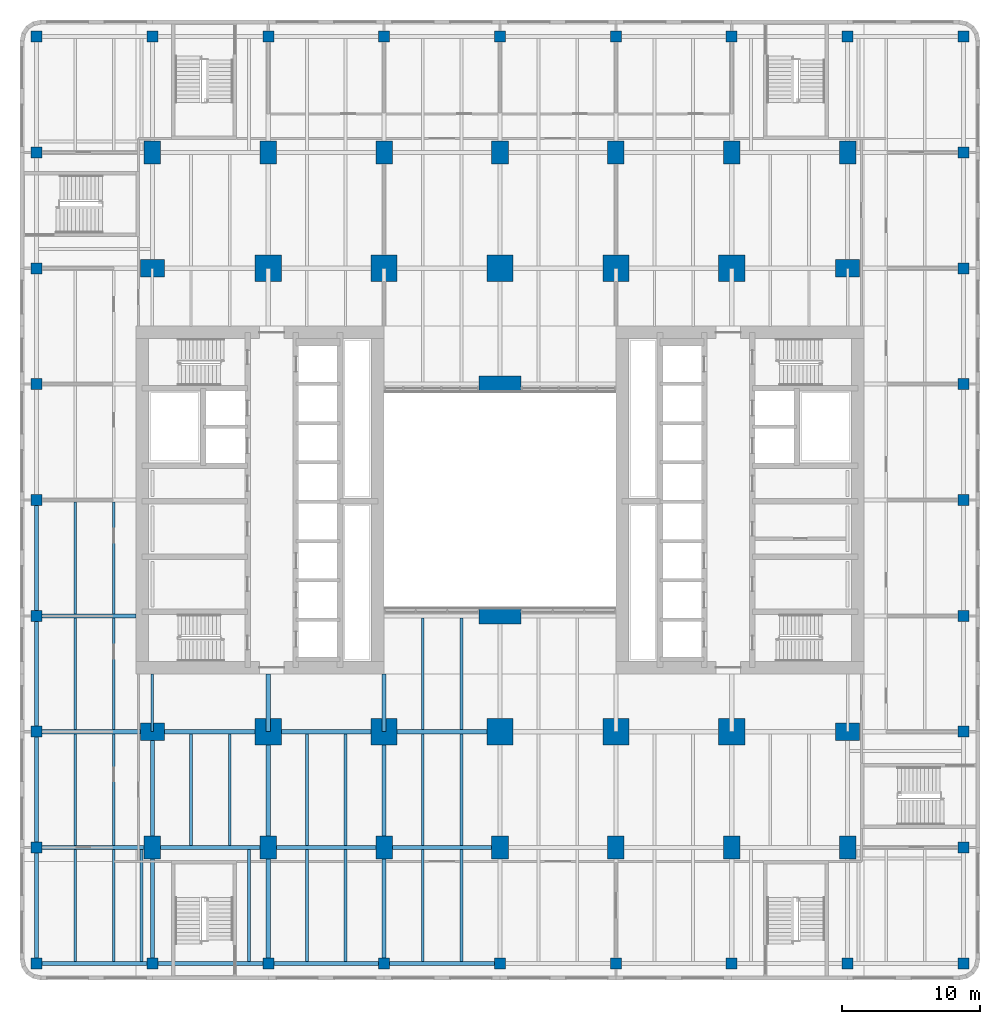
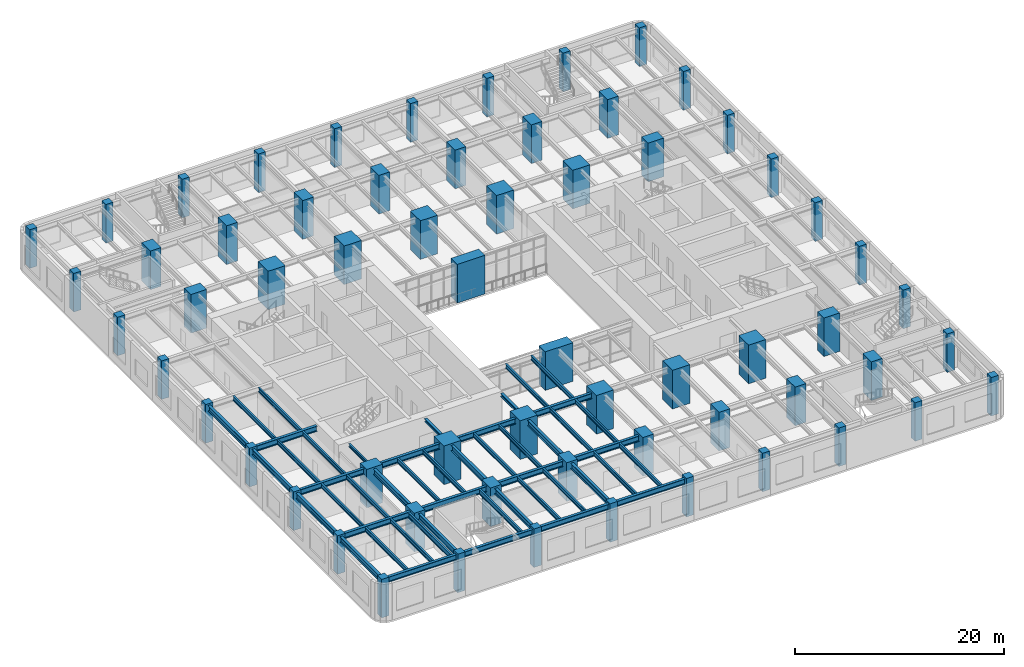
# One storey, part 1 of 26: 62 columns, 48 beams.
"""IFC4 building model written with IfcOpenShell, lengths in metres."""

from ifc_helpers import new_model, si_unit, direction, frame, origin, origin_2d, place, context, subcontext, project, spatial, rectangle, i_section, extrude, material, material_profile, profile_set, type_object, element, save


model = new_model("IFC4")

# Units and contexts
model_context = context("Model", 3, precision=1e-05, world=origin(), true_north=direction((0.0, 1.0)))
body_context = subcontext(model_context, "Body", "Model", "MODEL_VIEW")
ifc_project = project(units=[si_unit("LENGTHUNIT", "METRE"), si_unit("AREAUNIT", "SQUARE_METRE"), si_unit("VOLUMEUNIT", "CUBIC_METRE"), si_unit("PLANEANGLEUNIT", "RADIAN"), si_unit("MASSUNIT", "GRAM", prefix="KILO")], contexts=[model_context])

# Site, building, storey
site_placement = place(None, origin())
site = spatial("IfcSite", under=ifc_project, at=site_placement, CompositionType="ELEMENT")
building_placement = place(site_placement, origin())
building = spatial("IfcBuilding", under=site, at=building_placement, Name="Claustro Exchange Tower", CompositionType="ELEMENT")
storey_placement = place(building_placement, frame((0.0, 0.0, 9.89990234375)))
storey = spatial("IfcBuildingStorey", under=building, at=storey_placement, Name="L02", CompositionType="ELEMENT", Elevation=9.89990234375)

# Columns
ifc_material_1 = material(Name="Concrete HA-70 (C70/85)", Category="concrete")
ifc_material_profile_1 = material_profile(ifc_material_1, rectangle(XDim=1.89990234375, YDim=1.89990234375, at=origin_2d()), Name="RC 1900x1900")
ifc_profile_set_1 = profile_set([ifc_material_profile_1], Name="Concrete HA-70 (C70/85)")
column_type_1 = type_object("IfcColumnType", Name="C13 RC 1900x1900 HA-70 column", PredefinedType="COLUMN", material=ifc_profile_set_1)
for number, where, z_axis, x_axis, name in (
    (1, (8.39990234375, 8.39990234375, 0.0), (0.0, 0.0, 1.0), (1.0, 0.0, 0.0), "Column C13 2/B L02"),
    (2, (8.39990234375, 42.0, 0.0), (0.0, 0.0, 1.0), (1.0, 0.0, 0.0), "Column C13 2/F L02"),
    (3, (16.800048828125, 8.39990234375, 0.0), (0.0, 0.0, 1.0), (1.0, 0.0, 0.0), "Column C13 3/B L02"),
    (4, (16.800048828125, 42.0, 0.0), (0.0, 0.0, 1.0), (1.0, 0.0, 0.0), "Column C13 3/F L02"),
    (5, (25.199951171875, 8.39990234375, 0.0), (0.0, 0.0, 1.0), (1.0, 0.0, 0.0), "Column C13 4/B L02"),
    (6, (25.199951171875, 42.0, 0.0), (0.0, 0.0, 1.0), (1.0, 0.0, 0.0), "Column C13 4/F L02"),
    (7, (33.60009765625, 8.39990234375, 0.0), (0.0, 0.0, 1.0), (1.0, 0.0, 0.0), "Column C13 5/B L02"),
    (8, (33.60009765625, 42.0, 0.0), (0.0, 0.0, 1.0), (1.0, 0.0, 0.0), "Column C13 5/F L02"),
    (9, (42.0, 8.39990234375, 0.0), (0.0, 0.0, 1.0), (1.0, 0.0, 0.0), "Column C13 6/B L02"),
    (10, (42.0, 42.0, 0.0), (0.0, 0.0, 1.0), (1.0, 0.0, 0.0), "Column C13 6/F L02"),
):
    element("IfcColumn", number, at=place(storey_placement, frame(where, z_axis=z_axis, x_axis=x_axis)), inside=storey, type_object=column_type_1, Name=name, PredefinedType="COLUMN", context=body_context, shape_type="SweptSolid", body=[
        extrude(rectangle(XDim=1.89990234375, YDim=1.89990234375, at=origin_2d()), origin(), (0.0, 0.0, 1.0), 4.5),
    ])
ifc_material_2 = material(Name="Concrete HA-70 (C70/85)", Category="concrete")
ifc_material_profile_2 = material_profile(ifc_material_2, rectangle(XDim=1.199951171875, YDim=1.64990234375, at=origin_2d()), Name="RC 1200x1650")
ifc_profile_set_2 = profile_set([ifc_material_profile_2], Name="Concrete HA-70 (C70/85)")
column_type_2 = type_object("IfcColumnType", Name="C19 RC 1200x1650 HA-70 perimeter column", PredefinedType="COLUMN", material=ifc_profile_set_2)
for number, where, z_axis, x_axis, name in (
    (11, (0.0, 0.0, 0.0), (0.0, 0.0, 1.0), (1.0, 0.0, 0.0), "Column C19 1/A L02"),
    (12, (0.0, 50.39990234375, 0.0), (0.0, 0.0, 1.0), (1.0, 0.0, 0.0), "Column C19 1/G L02"),
    (13, (8.39990234375, 0.0, 0.0), (0.0, 0.0, 1.0), (1.0, 0.0, 0.0), "Column C19 2/A L02"),
    (14, (8.39990234375, 50.39990234375, 0.0), (0.0, 0.0, 1.0), (1.0, 0.0, 0.0), "Column C19 2/G L02"),
    (15, (16.800048828125, 0.0, 0.0), (0.0, 0.0, 1.0), (1.0, 0.0, 0.0), "Column C19 3/A L02"),
    (16, (16.800048828125, 50.39990234375, 0.0), (0.0, 0.0, 1.0), (1.0, 0.0, 0.0), "Column C19 3/G L02"),
    (17, (25.199951171875, 0.0, 0.0), (0.0, 0.0, 1.0), (1.0, 0.0, 0.0), "Column C19 4/A L02"),
    (18, (25.199951171875, 50.39990234375, 0.0), (0.0, 0.0, 1.0), (1.0, 0.0, 0.0), "Column C19 4/G L02"),
    (19, (33.60009765625, 0.0, 0.0), (0.0, 0.0, 1.0), (1.0, 0.0, 0.0), "Column C19 5/A L02"),
    (20, (33.60009765625, 50.39990234375, 0.0), (0.0, 0.0, 1.0), (1.0, 0.0, 0.0), "Column C19 5/G L02"),
    (21, (42.0, 0.0, 0.0), (0.0, 0.0, 1.0), (1.0, 0.0, 0.0), "Column C19 6/A L02"),
    (22, (42.0, 50.39990234375, 0.0), (0.0, 0.0, 1.0), (1.0, 0.0, 0.0), "Column C19 6/G L02"),
    (23, (50.39990234375, 0.0, 0.0), (0.0, 0.0, 1.0), (1.0, 0.0, 0.0), "Column C19 7/A L02"),
    (24, (50.39990234375, 50.39990234375, 0.0), (0.0, 0.0, 1.0), (1.0, 0.0, 0.0), "Column C19 7/G L02"),
):
    element("IfcColumn", number, at=place(storey_placement, frame(where, z_axis=z_axis, x_axis=x_axis)), inside=storey, type_object=column_type_2, Name=name, PredefinedType="COLUMN", context=body_context, shape_type="SweptSolid", body=[
        extrude(rectangle(XDim=1.199951171875, YDim=1.64990234375, at=origin_2d()), origin(), (0.0, 0.0, 1.0), 4.5),
    ])
ifc_material_3 = material(Name="Concrete HA-70 (C70/85)", Category="concrete")
ifc_material_profile_3 = material_profile(ifc_material_3, rectangle(XDim=3.050048828125, YDim=1.199951171875, at=origin_2d()), Name="RC 3050x1200")
ifc_profile_set_3 = profile_set([ifc_material_profile_3], Name="Concrete HA-70 (C70/85)")
column_type_3 = type_object("IfcColumnType", Name="C29 RC 3050x1200 HA-70 light well column", PredefinedType="COLUMN", material=ifc_profile_set_3)
for number, where, z_axis, x_axis, name in (
    (25, (25.199951171875, 16.800048828125, 0.0), (0.0, 0.0, 1.0), (1.0, 0.0, 0.0), "Column C29 4/C L02"),
    (26, (25.199951171875, 33.60009765625, 0.0), (0.0, 0.0, 1.0), (1.0, 0.0, 0.0), "Column C29 4/E L02"),
):
    element("IfcColumn", number, at=place(storey_placement, frame(where, z_axis=z_axis, x_axis=x_axis)), inside=storey, type_object=column_type_3, Name=name, PredefinedType="COLUMN", context=body_context, shape_type="SweptSolid", body=[
        extrude(rectangle(XDim=3.050048828125, YDim=1.199951171875, at=origin_2d()), origin(), (0.0, 0.0, 1.0), 4.5),
    ])
ifc_material_4 = material(Name="Concrete HA-50 (C50/60)", Category="concrete")
ifc_material_profile_4 = material_profile(ifc_material_4, rectangle(XDim=0.800048828125, YDim=0.800048828125, at=origin_2d()), Name="RC 800x800")
ifc_profile_set_4 = profile_set([ifc_material_profile_4], Name="Concrete HA-50 (C50/60)")
column_type_4 = type_object("IfcColumnType", Name="C4 RC 800x800 HA-50 column", PredefinedType="COLUMN", material=ifc_profile_set_4)
for number, where, z_axis, x_axis, name in (
    (27, (-8.39990234375, -8.39990234375, 0.0), (0.0, 0.0, 1.0), (1.0, 0.0, 0.0), "Column C4 1+-8400/A+-8400 L02"),
    (28, (-8.39990234375, 0.0, 0.0), (0.0, 0.0, 1.0), (1.0, 0.0, 0.0), "Column C4 1+-8400/A L02"),
    (29, (-8.39990234375, 8.39990234375, 0.0), (0.0, 0.0, 1.0), (1.0, 0.0, 0.0), "Column C4 1+-8400/B L02"),
    (30, (-8.39990234375, 16.800048828125, 0.0), (0.0, 0.0, 1.0), (1.0, 0.0, 0.0), "Column C4 1+-8400/C L02"),
    (31, (-8.39990234375, 25.199951171875, 0.0), (0.0, 0.0, 1.0), (1.0, 0.0, 0.0), "Column C4 1+-8400/D L02"),
    (32, (-8.39990234375, 33.60009765625, 0.0), (0.0, 0.0, 1.0), (1.0, 0.0, 0.0), "Column C4 1+-8400/E L02"),
    (33, (-8.39990234375, 42.0, 0.0), (0.0, 0.0, 1.0), (1.0, 0.0, 0.0), "Column C4 1+-8400/F L02"),
    (34, (-8.39990234375, 50.39990234375, 0.0), (0.0, 0.0, 1.0), (1.0, 0.0, 0.0), "Column C4 1+-8400/G L02"),
    (35, (-8.39990234375, 58.800048828125, 0.0), (0.0, 0.0, 1.0), (1.0, 0.0, 0.0), "Column C4 1+-8400/G+8400 L02"),
    (36, (0.0, -8.39990234375, 0.0), (0.0, 0.0, 1.0), (1.0, 0.0, 0.0), "Column C4 1/A+-8400 L02"),
    (37, (0.0, 58.800048828125, 0.0), (0.0, 0.0, 1.0), (1.0, 0.0, 0.0), "Column C4 1/G+8400 L02"),
    (38, (8.39990234375, -8.39990234375, 0.0), (0.0, 0.0, 1.0), (1.0, 0.0, 0.0), "Column C4 2/A+-8400 L02"),
    (39, (8.39990234375, 58.800048828125, 0.0), (0.0, 0.0, 1.0), (1.0, 0.0, 0.0), "Column C4 2/G+8400 L02"),
    (40, (16.800048828125, -8.39990234375, 0.0), (0.0, 0.0, 1.0), (1.0, 0.0, 0.0), "Column C4 3/A+-8400 L02"),
    (41, (16.800048828125, 58.800048828125, 0.0), (0.0, 0.0, 1.0), (1.0, 0.0, 0.0), "Column C4 3/G+8400 L02"),
    (42, (25.199951171875, -8.39990234375, 0.0), (0.0, 0.0, 1.0), (1.0, 0.0, 0.0), "Column C4 4/A+-8400 L02"),
    (43, (25.199951171875, 58.800048828125, 0.0), (0.0, 0.0, 1.0), (1.0, 0.0, 0.0), "Column C4 4/G+8400 L02"),
    (44, (33.60009765625, -8.39990234375, 0.0), (0.0, 0.0, 1.0), (1.0, 0.0, 0.0), "Column C4 5/A+-8400 L02"),
    (45, (33.60009765625, 58.800048828125, 0.0), (0.0, 0.0, 1.0), (1.0, 0.0, 0.0), "Column C4 5/G+8400 L02"),
    (46, (42.0, -8.39990234375, 0.0), (0.0, 0.0, 1.0), (1.0, 0.0, 0.0), "Column C4 6/A+-8400 L02"),
    (47, (42.0, 58.800048828125, 0.0), (0.0, 0.0, 1.0), (1.0, 0.0, 0.0), "Column C4 6/G+8400 L02"),
    (48, (50.39990234375, -8.39990234375, 0.0), (0.0, 0.0, 1.0), (1.0, 0.0, 0.0), "Column C4 7/A+-8400 L02"),
    (49, (50.39990234375, 58.800048828125, 0.0), (0.0, 0.0, 1.0), (1.0, 0.0, 0.0), "Column C4 7/G+8400 L02"),
    (50, (58.800048828125, -8.39990234375, 0.0), (0.0, 0.0, 1.0), (1.0, 0.0, 0.0), "Column C4 7+8400/A+-8400 L02"),
    (51, (58.800048828125, 0.0, 0.0), (0.0, 0.0, 1.0), (1.0, 0.0, 0.0), "Column C4 7+8400/A L02"),
    (52, (58.800048828125, 8.39990234375, 0.0), (0.0, 0.0, 1.0), (1.0, 0.0, 0.0), "Column C4 7+8400/B L02"),
    (53, (58.800048828125, 16.800048828125, 0.0), (0.0, 0.0, 1.0), (1.0, 0.0, 0.0), "Column C4 7+8400/C L02"),
    (54, (58.800048828125, 25.199951171875, 0.0), (0.0, 0.0, 1.0), (1.0, 0.0, 0.0), "Column C4 7+8400/D L02"),
    (55, (58.800048828125, 33.60009765625, 0.0), (0.0, 0.0, 1.0), (1.0, 0.0, 0.0), "Column C4 7+8400/E L02"),
    (56, (58.800048828125, 42.0, 0.0), (0.0, 0.0, 1.0), (1.0, 0.0, 0.0), "Column C4 7+8400/F L02"),
    (57, (58.800048828125, 50.39990234375, 0.0), (0.0, 0.0, 1.0), (1.0, 0.0, 0.0), "Column C4 7+8400/G L02"),
    (58, (58.800048828125, 58.800048828125, 0.0), (0.0, 0.0, 1.0), (1.0, 0.0, 0.0), "Column C4 7+8400/G+8400 L02"),
):
    element("IfcColumn", number, at=place(storey_placement, frame(where, z_axis=z_axis, x_axis=x_axis)), inside=storey, type_object=column_type_4, Name=name, PredefinedType="COLUMN", context=body_context, shape_type="SweptSolid", body=[
        extrude(rectangle(XDim=0.800048828125, YDim=0.800048828125, at=origin_2d()), origin(), (0.0, 0.0, 1.0), 4.5),
    ])
ifc_material_5 = material(Name="Concrete HA-70 (C70/85)", Category="concrete")
ifc_material_profile_5 = material_profile(ifc_material_5, rectangle(XDim=1.25, YDim=1.75, at=origin_2d()), Name="RC 1250x1750")
ifc_profile_set_5 = profile_set([ifc_material_profile_5], Name="Concrete HA-70 (C70/85)")
column_type_5 = type_object("IfcColumnType", Name="C41 RC 1250x1750 HA-70 perimeter column", PredefinedType="COLUMN", material=ifc_profile_set_5)
for number, where, z_axis, x_axis, name in (
    (59, (0.0, 8.39990234375, 0.0), (0.0, 0.0, 1.0), (0.0, 1.0, 0.0), "Column C41 1/B L02"),
    (60, (0.0, 42.0, 0.0), (0.0, 0.0, 1.0), (0.0, 1.0, 0.0), "Column C41 1/F L02"),
    (61, (50.39990234375, 8.39990234375, 0.0), (0.0, 0.0, 1.0), (0.0, 1.0, 0.0), "Column C41 7/B L02"),
    (62, (50.39990234375, 42.0, 0.0), (0.0, 0.0, 1.0), (0.0, 1.0, 0.0), "Column C41 7/F L02"),
):
    element("IfcColumn", number, at=place(storey_placement, frame(where, z_axis=z_axis, x_axis=x_axis)), inside=storey, type_object=column_type_5, Name=name, PredefinedType="COLUMN", context=body_context, shape_type="SweptSolid", body=[
        extrude(rectangle(XDim=1.25, YDim=1.75, at=origin_2d()), origin(), (0.0, 0.0, 1.0), 4.5),
    ])

# Beams
ifc_material_6 = material(Name="Steel S355", Category="steel")
ifc_material_profile_6 = material_profile(ifc_material_6, i_section(OverallWidth=0.169921875, OverallDepth=0.360107421875, WebThickness=0.008056640625, FlangeThickness=0.0126953125, FilletRadius=0.01806640625, at=origin_2d()), Name="IPE 360")
ifc_profile_set_6 = profile_set([ifc_material_profile_6], Name="Steel S355")
beam_type_1 = type_object("IfcBeamType", Name="B16 IPE 360 short-span beam", PredefinedType="BEAM", material=ifc_profile_set_6)
beam_1_placement = place(storey_placement, frame((0.0, 8.39990234375, 4.1201171875), z_axis=(0.0, 1.0, 0.0), x_axis=(-1.0, 0.0, 0.0)))
element("IfcBeam", 63, at=beam_1_placement, inside=storey, type_object=beam_type_1, Name="Beam B16 L03", PredefinedType="BEAM", context=body_context, shape_type="SweptSolid", body=[
    extrude(i_section(OverallWidth=0.169921875, OverallDepth=0.360107421875, WebThickness=0.008056640625, FlangeThickness=0.0126953125, FilletRadius=0.01806640625, at=origin_2d()), origin(), (0.0, 0.0, 1.0), 4.2001953125),
])
ifc_material_7 = material(Name="Steel S355", Category="steel")
ifc_material_profile_7 = material_profile(ifc_material_7, i_section(OverallWidth=0.300048828125, OverallDepth=0.64990234375, WebThickness=0.01611328125, FlangeThickness=0.031005859375, FilletRadius=0.027099609375, at=origin_2d()), Name="HE 650 B")
ifc_profile_set_7 = profile_set([ifc_material_profile_7], Name="Steel S355")
beam_type_2 = type_object("IfcBeamType", Name="B1A HE 650 B floor girder", PredefinedType="BEAM", material=ifc_profile_set_7)
for number, where, z_axis, x_axis, name in (
    (64, (-8.39990234375, -8.39990234375, 3.97509765625), (0.0, 1.0, 0.0), (-1.0, 0.0, 0.0), "Beam B1A L03"),
    (65, (-8.39990234375, 0.0, 3.97509765625), (0.0, 1.0, 0.0), (-1.0, 0.0, 0.0), "Beam B1A L03"),
):
    element("IfcBeam", number, at=place(storey_placement, frame(where, z_axis=z_axis, x_axis=x_axis)), inside=storey, type_object=beam_type_2, Name=name, PredefinedType="BEAM", context=body_context, shape_type="SweptSolid", body=[
        extrude(i_section(OverallWidth=0.300048828125, OverallDepth=0.64990234375, WebThickness=0.01611328125, FlangeThickness=0.031005859375, FilletRadius=0.027099609375, at=origin_2d()), origin(), (0.0, 0.0, 1.0), 8.39990234375),
    ])
beam_2_placement = place(storey_placement, frame((-8.39990234375, 8.39990234375, 3.97509765625), z_axis=(0.0, 1.0, 0.0), x_axis=(-1.0, 0.0, 0.0)))
element("IfcBeam", 66, at=beam_2_placement, inside=storey, type_object=beam_type_2, Name="Beam B1A L03", PredefinedType="BEAM", context=body_context, shape_type="SweptSolid", body=[
    extrude(i_section(OverallWidth=0.300048828125, OverallDepth=0.64990234375, WebThickness=0.01611328125, FlangeThickness=0.031005859375, FilletRadius=0.027099609375, at=origin_2d()), origin(), (0.0, 0.0, 1.0), 8.400146484375),
])
for number, where, z_axis, x_axis, name in (
    (67, (-8.39990234375, 16.800048828125, 3.97509765625), (0.0, 1.0, 0.0), (-1.0, 0.0, 0.0), "Beam B1A L03"),
    (68, (0.0, -8.39990234375, 3.97509765625), (0.0, 1.0, 0.0), (-1.0, 0.0, 0.0), "Beam B1A L03"),
    (69, (0.0, 0.0, 3.97509765625), (0.0, 1.0, 0.0), (-1.0, 0.0, 0.0), "Beam B1A L03"),
    (70, (8.39990234375, -8.39990234375, 3.97509765625), (0.0, 1.0, 0.0), (-1.0, 0.0, 0.0), "Beam B1A L03"),
    (71, (8.39990234375, 0.0, 3.97509765625), (0.0, 1.0, 0.0), (-1.0, 0.0, 0.0), "Beam B1A L03"),
    (72, (16.800048828125, -8.39990234375, 3.97509765625), (0.0, 1.0, 0.0), (-1.0, 0.0, 0.0), "Beam B1A L03"),
    (73, (16.800048828125, 0.0, 3.97509765625), (0.0, 1.0, 0.0), (-1.0, 0.0, 0.0), "Beam B1A L03"),
    (74, (-8.39990234375, -8.39990234375, 3.97509765625), (1.0, 0.0, 0.0), (0.0, 1.0, 0.0), "Beam B1A L03"),
    (75, (0.0, -8.39990234375, 3.97509765625), (1.0, 0.0, 0.0), (0.0, 1.0, 0.0), "Beam B1A L03"),
):
    element("IfcBeam", number, at=place(storey_placement, frame(where, z_axis=z_axis, x_axis=x_axis)), inside=storey, type_object=beam_type_2, Name=name, PredefinedType="BEAM", context=body_context, shape_type="SweptSolid", body=[
        extrude(i_section(OverallWidth=0.300048828125, OverallDepth=0.64990234375, WebThickness=0.01611328125, FlangeThickness=0.031005859375, FilletRadius=0.027099609375, at=origin_2d()), origin(), (0.0, 0.0, 1.0), 8.39990234375),
    ])
beam_3_placement = place(storey_placement, frame((8.39990234375, -8.39990234375, 3.97509765625), z_axis=(1.0, 0.0, 0.0), x_axis=(0.0, 1.0, 0.0)))
element("IfcBeam", 76, at=beam_3_placement, inside=storey, type_object=beam_type_2, Name="Beam B1A L03", PredefinedType="BEAM", context=body_context, shape_type="SweptSolid", body=[
    extrude(i_section(OverallWidth=0.300048828125, OverallDepth=0.64990234375, WebThickness=0.01611328125, FlangeThickness=0.031005859375, FilletRadius=0.027099609375, at=origin_2d()), origin(), (0.0, 0.0, 1.0), 8.400146484375),
])
for number, where, z_axis, x_axis, name in (
    (77, (16.800048828125, -8.39990234375, 3.97509765625), (1.0, 0.0, 0.0), (0.0, 1.0, 0.0), "Beam B1A L03"),
    (78, (-8.39990234375, 0.0, 3.97509765625), (1.0, 0.0, 0.0), (0.0, 1.0, 0.0), "Beam B1A L03"),
    (79, (0.0, 0.0, 3.97509765625), (1.0, 0.0, 0.0), (0.0, 1.0, 0.0), "Beam B1A L03"),
):
    element("IfcBeam", number, at=place(storey_placement, frame(where, z_axis=z_axis, x_axis=x_axis)), inside=storey, type_object=beam_type_2, Name=name, PredefinedType="BEAM", context=body_context, shape_type="SweptSolid", body=[
        extrude(i_section(OverallWidth=0.300048828125, OverallDepth=0.64990234375, WebThickness=0.01611328125, FlangeThickness=0.031005859375, FilletRadius=0.027099609375, at=origin_2d()), origin(), (0.0, 0.0, 1.0), 8.39990234375),
    ])
beam_4_placement = place(storey_placement, frame((8.39990234375, 0.0, 3.97509765625), z_axis=(1.0, 0.0, 0.0), x_axis=(0.0, 1.0, 0.0)))
element("IfcBeam", 80, at=beam_4_placement, inside=storey, type_object=beam_type_2, Name="Beam B1A L03", PredefinedType="BEAM", context=body_context, shape_type="SweptSolid", body=[
    extrude(i_section(OverallWidth=0.300048828125, OverallDepth=0.64990234375, WebThickness=0.01611328125, FlangeThickness=0.031005859375, FilletRadius=0.027099609375, at=origin_2d()), origin(), (0.0, 0.0, 1.0), 8.400146484375),
])
for number, where, z_axis, x_axis, name in (
    (81, (16.800048828125, 0.0, 3.97509765625), (1.0, 0.0, 0.0), (0.0, 1.0, 0.0), "Beam B1A L03"),
    (82, (-8.39990234375, 8.39990234375, 3.97509765625), (1.0, 0.0, 0.0), (0.0, 1.0, 0.0), "Beam B1A L03"),
    (83, (0.0, 8.39990234375, 3.97509765625), (1.0, 0.0, 0.0), (0.0, 1.0, 0.0), "Beam B1A L03"),
):
    element("IfcBeam", number, at=place(storey_placement, frame(where, z_axis=z_axis, x_axis=x_axis)), inside=storey, type_object=beam_type_2, Name=name, PredefinedType="BEAM", context=body_context, shape_type="SweptSolid", body=[
        extrude(i_section(OverallWidth=0.300048828125, OverallDepth=0.64990234375, WebThickness=0.01611328125, FlangeThickness=0.031005859375, FilletRadius=0.027099609375, at=origin_2d()), origin(), (0.0, 0.0, 1.0), 8.39990234375),
    ])
beam_5_placement = place(storey_placement, frame((8.39990234375, 8.39990234375, 3.97509765625), z_axis=(1.0, 0.0, 0.0), x_axis=(0.0, 1.0, 0.0)))
element("IfcBeam", 84, at=beam_5_placement, inside=storey, type_object=beam_type_2, Name="Beam B1A L03", PredefinedType="BEAM", context=body_context, shape_type="SweptSolid", body=[
    extrude(i_section(OverallWidth=0.300048828125, OverallDepth=0.64990234375, WebThickness=0.01611328125, FlangeThickness=0.031005859375, FilletRadius=0.027099609375, at=origin_2d()), origin(), (0.0, 0.0, 1.0), 8.400146484375),
])
beam_6_placement = place(storey_placement, frame((16.800048828125, 8.39990234375, 3.97509765625), z_axis=(1.0, 0.0, 0.0), x_axis=(0.0, 1.0, 0.0)))
element("IfcBeam", 85, at=beam_6_placement, inside=storey, type_object=beam_type_2, Name="Beam B1A L03", PredefinedType="BEAM", context=body_context, shape_type="SweptSolid", body=[
    extrude(i_section(OverallWidth=0.300048828125, OverallDepth=0.64990234375, WebThickness=0.01611328125, FlangeThickness=0.031005859375, FilletRadius=0.027099609375, at=origin_2d()), origin(), (0.0, 0.0, 1.0), 8.39990234375),
])
beam_7_placement = place(storey_placement, frame((-8.39990234375, 16.800048828125, 3.97509765625), z_axis=(1.0, 0.0, 0.0), x_axis=(0.0, 1.0, 0.0)))
element("IfcBeam", 86, at=beam_7_placement, inside=storey, type_object=beam_type_2, Name="Beam B1A L03", PredefinedType="BEAM", context=body_context, shape_type="SweptSolid", body=[
    extrude(i_section(OverallWidth=0.300048828125, OverallDepth=0.64990234375, WebThickness=0.01611328125, FlangeThickness=0.031005859375, FilletRadius=0.027099609375, at=origin_2d()), origin(), (0.0, 0.0, 1.0), 7.199951171875),
])
ifc_material_8 = material(Name="Steel S355", Category="steel")
ifc_material_profile_8 = material_profile(ifc_material_8, i_section(OverallWidth=0.199951171875, OverallDepth=0.5, WebThickness=0.01025390625, FlangeThickness=0.01611328125, FilletRadius=0.02099609375, at=origin_2d()), Name="IPE 500")
ifc_profile_set_8 = profile_set([ifc_material_profile_8], Name="Steel S355")
beam_type_3 = type_object("IfcBeamType", Name="B2 IPE 500 secondary beam", PredefinedType="BEAM", material=ifc_profile_set_8)
for number, where, z_axis, x_axis, name in (
    (87, (-5.60009765625, -8.25, 4.050048828125), (0.0, 1.0, 0.0), (-1.0, 0.0, 0.0), "Beam B2 L03"),
    (88, (-2.800048828125, -8.25, 4.050048828125), (0.0, 1.0, 0.0), (-1.0, 0.0, 0.0), "Beam B2 L03"),
    (89, (-5.60009765625, 0.14990234375, 4.050048828125), (0.0, 1.0, 0.0), (-1.0, 0.0, 0.0), "Beam B2 L03"),
    (90, (-2.800048828125, 0.14990234375, 4.050048828125), (0.0, 1.0, 0.0), (-1.0, 0.0, 0.0), "Beam B2 L03"),
):
    element("IfcBeam", number, at=place(storey_placement, frame(where, z_axis=z_axis, x_axis=x_axis)), inside=storey, type_object=beam_type_3, Name=name, PredefinedType="BEAM", context=body_context, shape_type="SweptSolid", body=[
        extrude(i_section(OverallWidth=0.199951171875, OverallDepth=0.5, WebThickness=0.01025390625, FlangeThickness=0.01611328125, FilletRadius=0.02099609375, at=origin_2d()), origin(), (0.0, 0.0, 1.0), 8.10009765625),
    ])
for number, where, z_axis, x_axis, name in (
    (91, (-5.60009765625, 8.550048828125, 4.050048828125), (0.0, 1.0, 0.0), (-1.0, 0.0, 0.0), "Beam B2 L03"),
    (92, (-2.800048828125, 8.550048828125, 4.050048828125), (0.0, 1.0, 0.0), (-1.0, 0.0, 0.0), "Beam B2 L03"),
):
    element("IfcBeam", number, at=place(storey_placement, frame(where, z_axis=z_axis, x_axis=x_axis)), inside=storey, type_object=beam_type_3, Name=name, PredefinedType="BEAM", context=body_context, shape_type="SweptSolid", body=[
        extrude(i_section(OverallWidth=0.199951171875, OverallDepth=0.5, WebThickness=0.01025390625, FlangeThickness=0.01611328125, FilletRadius=0.02099609375, at=origin_2d()), origin(), (0.0, 0.0, 1.0), 8.099853515625),
    ])
for number, where, z_axis, x_axis, name in (
    (93, (-5.60009765625, 16.949951171875, 4.050048828125), (0.0, 1.0, 0.0), (-1.0, 0.0, 0.0), "Beam B2 L03"),
    (94, (-2.800048828125, 16.949951171875, 4.050048828125), (0.0, 1.0, 0.0), (-1.0, 0.0, 0.0), "Beam B2 L03"),
    (95, (2.800048828125, 0.14990234375, 4.050048828125), (0.0, 1.0, 0.0), (-1.0, 0.0, 0.0), "Beam B2 L03"),
    (96, (5.60009765625, 0.14990234375, 4.050048828125), (0.0, 1.0, 0.0), (-1.0, 0.0, 0.0), "Beam B2 L03"),
    (97, (11.199951171875, -8.25, 4.050048828125), (0.0, 1.0, 0.0), (-1.0, 0.0, 0.0), "Beam B2 L03"),
    (98, (14.0, -8.25, 4.050048828125), (0.0, 1.0, 0.0), (-1.0, 0.0, 0.0), "Beam B2 L03"),
    (99, (11.199951171875, 0.14990234375, 4.050048828125), (0.0, 1.0, 0.0), (-1.0, 0.0, 0.0), "Beam B2 L03"),
    (100, (14.0, 0.14990234375, 4.050048828125), (0.0, 1.0, 0.0), (-1.0, 0.0, 0.0), "Beam B2 L03"),
    (101, (19.60009765625, -8.25, 4.050048828125), (0.0, 1.0, 0.0), (-1.0, 0.0, 0.0), "Beam B2 L03"),
    (102, (22.39990234375, -8.25, 4.050048828125), (0.0, 1.0, 0.0), (-1.0, 0.0, 0.0), "Beam B2 L03"),
    (103, (19.60009765625, 0.14990234375, 4.050048828125), (0.0, 1.0, 0.0), (-1.0, 0.0, 0.0), "Beam B2 L03"),
    (104, (22.39990234375, 0.14990234375, 4.050048828125), (0.0, 1.0, 0.0), (-1.0, 0.0, 0.0), "Beam B2 L03"),
):
    element("IfcBeam", number, at=place(storey_placement, frame(where, z_axis=z_axis, x_axis=x_axis)), inside=storey, type_object=beam_type_3, Name=name, PredefinedType="BEAM", context=body_context, shape_type="SweptSolid", body=[
        extrude(i_section(OverallWidth=0.199951171875, OverallDepth=0.5, WebThickness=0.01025390625, FlangeThickness=0.01611328125, FilletRadius=0.02099609375, at=origin_2d()), origin(), (0.0, 0.0, 1.0), 8.10009765625),
    ])
for number, where, z_axis, x_axis, name in (
    (105, (19.60009765625, 8.550048828125, 4.050048828125), (0.0, 1.0, 0.0), (-1.0, 0.0, 0.0), "Beam B2 L03"),
    (106, (22.39990234375, 8.550048828125, 4.050048828125), (0.0, 1.0, 0.0), (-1.0, 0.0, 0.0), "Beam B2 L03"),
):
    element("IfcBeam", number, at=place(storey_placement, frame(where, z_axis=z_axis, x_axis=x_axis)), inside=storey, type_object=beam_type_3, Name=name, PredefinedType="BEAM", context=body_context, shape_type="SweptSolid", body=[
        extrude(i_section(OverallWidth=0.199951171875, OverallDepth=0.5, WebThickness=0.01025390625, FlangeThickness=0.01611328125, FilletRadius=0.02099609375, at=origin_2d()), origin(), (0.0, 0.0, 1.0), 8.099853515625),
    ])
ifc_material_9 = material(Name="Steel S355", Category="steel")
ifc_material_profile_9 = material_profile(ifc_material_9, i_section(OverallWidth=0.2099609375, OverallDepth=0.550048828125, WebThickness=0.010986328125, FlangeThickness=0.01708984375, FilletRadius=0.02392578125, at=origin_2d()), Name="IPE 550")
ifc_profile_set_9 = profile_set([ifc_material_profile_9], Name="Steel S355")
beam_type_4 = type_object("IfcBeamType", Name="B28 IPE 550 podium stair trimmer", PredefinedType="BEAM", material=ifc_profile_set_9)
for number, where, z_axis, x_axis, name in (
    (107, (7.0, -8.25, 4.025146484375), (0.0, 1.0, 0.0), (-1.0, 0.0, 0.0), "Beam B28 trimmer STP1 L03"),
    (108, (-0.800048828125, -8.25, 4.025146484375), (0.0, 1.0, 0.0), (-1.0, 0.0, 0.0), "Beam B28 trimmer STP1 L03"),
):
    element("IfcBeam", number, at=place(storey_placement, frame(where, z_axis=z_axis, x_axis=x_axis)), inside=storey, type_object=beam_type_4, Name=name, PredefinedType="BEAM", context=body_context, shape_type="SweptSolid", body=[
        extrude(i_section(OverallWidth=0.2099609375, OverallDepth=0.550048828125, WebThickness=0.010986328125, FlangeThickness=0.01708984375, FilletRadius=0.02392578125, at=origin_2d()), origin(), (0.0, 0.0, 1.0), 8.10009765625),
    ])
ifc_material_10 = material(Name="Steel S355", Category="steel")
ifc_material_profile_10 = material_profile(ifc_material_10, i_section(OverallWidth=0.300048828125, OverallDepth=0.360107421875, WebThickness=0.012451171875, FlangeThickness=0.0224609375, FilletRadius=0.027099609375, at=origin_2d()), Name="HE 360 B")
ifc_profile_set_10 = profile_set([ifc_material_profile_10], Name="Steel S355")
beam_type_5 = type_object("IfcBeamType", Name="B29 HE 360 B column to core link beam", PredefinedType="BEAM", material=ifc_profile_set_10)
for number, where, z_axis, x_axis, name in (
    (109, (8.39990234375, 8.39990234375, 4.1201171875), (0.0, 1.0, 0.0), (-1.0, 0.0, 0.0), "Beam B29 L03"),
    (110, (16.800048828125, 8.39990234375, 4.1201171875), (0.0, 1.0, 0.0), (-1.0, 0.0, 0.0), "Beam B29 L03"),
):
    element("IfcBeam", number, at=place(storey_placement, frame(where, z_axis=z_axis, x_axis=x_axis)), inside=storey, type_object=beam_type_5, Name=name, PredefinedType="BEAM", context=body_context, shape_type="SweptSolid", body=[
        extrude(i_section(OverallWidth=0.300048828125, OverallDepth=0.360107421875, WebThickness=0.012451171875, FlangeThickness=0.0224609375, FilletRadius=0.027099609375, at=origin_2d()), origin(), (0.0, 0.0, 1.0), 4.2001953125),
    ])

save(model, "model.ifc")
